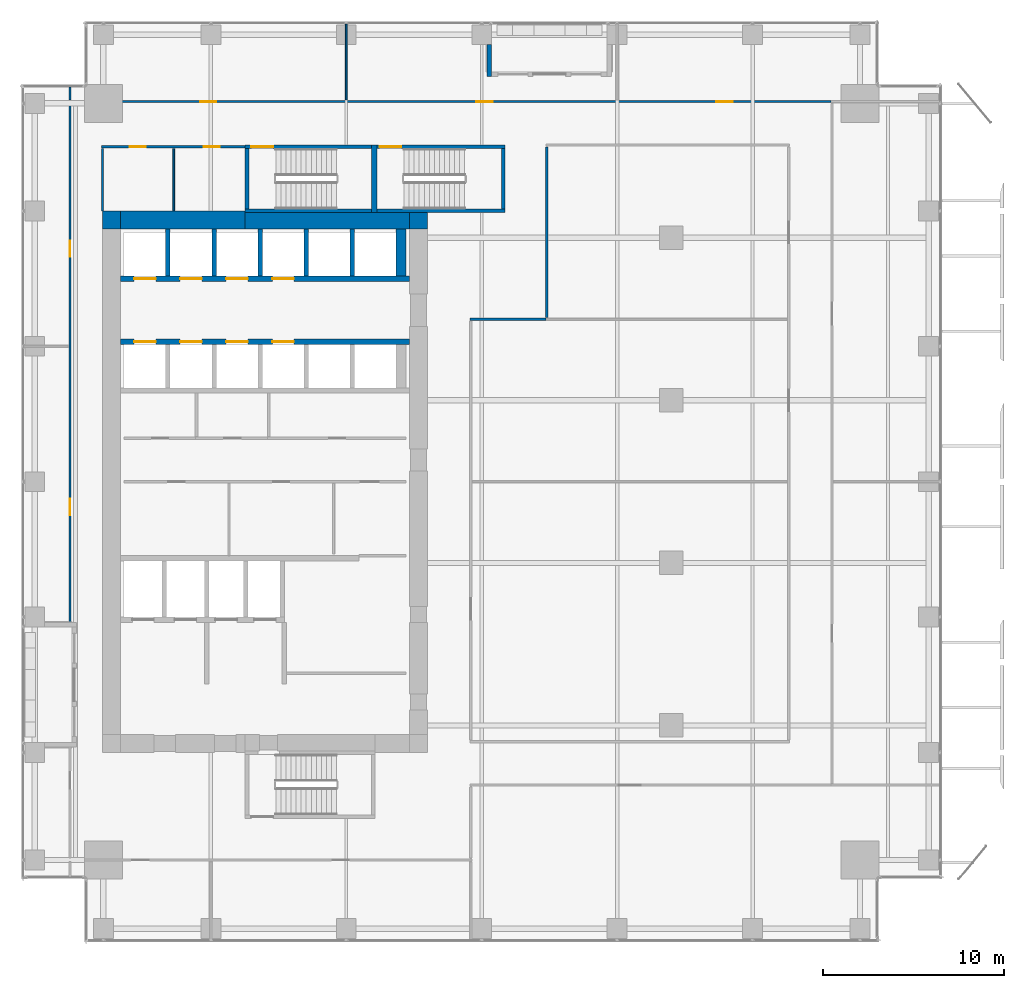
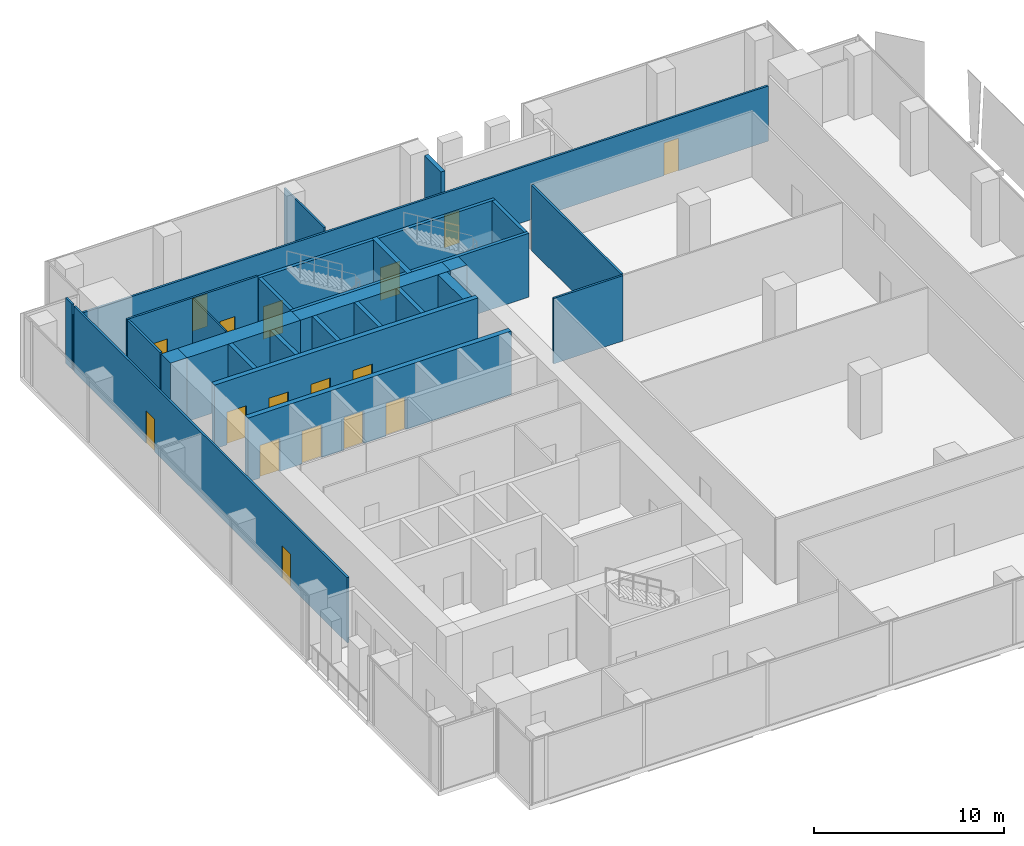
# One storey, part 29 of 33: 29 walls, 17 doors, 17 openings.
"""IFC4 building model written with IfcOpenShell, lengths in metres."""

from ifc_helpers import new_model, si_unit, direction, frame, frame_2d, origin, place, context, subcontext, project, spatial, rectangle, extrude, source, transform, mapped, material, layer, layer_set, type_object, element, fill, save


model = new_model("IFC4")

# Units and contexts
model_context = context("Model", 3, precision=1e-05, world=origin(), true_north=direction((0.0, 1.0)))
body_context = subcontext(model_context, "Body", "Model", "MODEL_VIEW")
ifc_project = project(units=[si_unit("LENGTHUNIT", "METRE"), si_unit("AREAUNIT", "SQUARE_METRE"), si_unit("VOLUMEUNIT", "CUBIC_METRE"), si_unit("PLANEANGLEUNIT", "RADIAN"), si_unit("MASSUNIT", "GRAM", prefix="KILO")], contexts=[model_context])

# Site, building, storey
site_placement = place(None, origin())
site = spatial("IfcSite", under=ifc_project, at=site_placement, CompositionType="ELEMENT")
building_placement = place(site_placement, origin())
building = spatial("IfcBuilding", under=site, at=building_placement, Name="Khomas Fold Tower", CompositionType="ELEMENT")
storey_placement = place(building_placement, frame((0.0, 0.0, 149.89990234375)))
storey = spatial("IfcBuildingStorey", under=building, at=storey_placement, Name="L32", CompositionType="ELEMENT", Elevation=149.89990234375)

# Walls
ifc_material_1 = material(Name="Concrete C70/85", Category="concrete")
ifc_layer_1 = layer(ifc_material_1, 1.0)
ifc_layer_set_1 = layer_set([ifc_layer_1], Name="Concrete C70/85")
wall_type_1 = type_object("IfcWallType", Name="Core wall 1000", PredefinedType="SHEAR", material=ifc_layer_set_1)
shared_shape_1 = source(origin(), body_context, "Body", "SweptSolid", [
    extrude(rectangle(XDim=6.89990234375, YDim=1.0, at=frame_2d((3.449951171875, 0.0))), origin(), (0.0, 0.0, 1.0), 4.10009765625),
])
wall_1_placement = place(storey_placement, frame((7.0, 41.5, 0.0), z_axis=(0.0, 0.0, 1.0), x_axis=(1.0, 0.0, 0.0)))
element("IfcWall", 1, at=wall_1_placement, inside=storey, type_object=wall_type_1, Name="Core wall CW-L-N-L21", PredefinedType="SHEAR", context=body_context, shape_type="MappedRepresentation", body=[
    mapped(shared_shape_1, transform((0.0, 0.0, 0.0))),
])
ifc_material_2 = material(Name="Concrete C70/85", Category="concrete")
ifc_layer_2 = layer(ifc_material_2, 0.89990234375)
ifc_layer_set_2 = layer_set([ifc_layer_2], Name="Concrete C70/85")
wall_type_2 = type_object("IfcWallType", Name="Core wall 900", PredefinedType="SHEAR", material=ifc_layer_set_2)
shared_shape_2 = source(origin(), body_context, "Body", "SweptSolid", [
    extrude(rectangle(XDim=9.10009765625, YDim=0.89990234375, at=frame_2d((4.550048828125, 0.0))), origin(), (0.0, 0.0, 1.0), 4.10009765625),
])
wall_2_placement = place(storey_placement, frame((13.89990234375, 41.449951171875, 0.0), z_axis=(0.0, 0.0, 1.0), x_axis=(1.0, 0.0, 0.0)))
element("IfcWall", 2, at=wall_2_placement, inside=storey, type_object=wall_type_2, Name="Core wall CW-L-N-L21-1", PredefinedType="SHEAR", context=body_context, shape_type="MappedRepresentation", body=[
    mapped(shared_shape_2, transform((0.0, 0.0, 0.0))),
])
ifc_material_3 = material(Name="Concrete C70/85", Category="concrete")
ifc_layer_3 = layer(ifc_material_3, 0.89990234375)
ifc_layer_set_3 = layer_set([ifc_layer_3], Name="Concrete C70/85")
wall_type_3 = type_object("IfcWallType", Name="Core corner wall 900", PredefinedType="SHEAR", material=ifc_layer_set_3)
shared_shape_3 = source(origin(), body_context, "Body", "SweptSolid", [
    extrude(rectangle(XDim=1.0, YDim=0.89990234375, at=frame_2d((0.5, 0.0))), origin(), (0.0, 0.0, 1.0), 4.10009765625),
])
wall_3_placement = place(storey_placement, frame((23.0, 41.449951171875, 0.0), z_axis=(0.0, 0.0, 1.0), x_axis=(1.0, 0.0, 0.0)))
element("IfcWall", 3, at=wall_3_placement, inside=storey, type_object=wall_type_3, Name="Core wall CW-L-NE-L21", PredefinedType="SHEAR", context=body_context, shape_type="MappedRepresentation", body=[
    mapped(shared_shape_3, transform((0.0, 0.0, 0.0))),
])
ifc_material_4 = material(Name="Concrete C70/85", Category="concrete")
ifc_layer_4 = layer(ifc_material_4, 1.0)
ifc_layer_set_4 = layer_set([ifc_layer_4], Name="Concrete C70/85")
wall_type_4 = type_object("IfcWallType", Name="Core corner wall 1000", PredefinedType="SHEAR", material=ifc_layer_set_4)
shared_shape_4 = source(origin(), body_context, "Body", "SweptSolid", [
    extrude(rectangle(XDim=1.0, YDim=1.0, at=frame_2d((0.5, 0.0))), origin(), (0.0, 0.0, 1.0), 4.10009765625),
])
wall_4_placement = place(storey_placement, frame((6.0, 41.5, 0.0), z_axis=(0.0, 0.0, 1.0), x_axis=(1.0, 0.0, 0.0)))
element("IfcWall", 4, at=wall_4_placement, inside=storey, type_object=wall_type_4, Name="Core wall CW-L-NW-L21", PredefinedType="SHEAR", context=body_context, shape_type="MappedRepresentation", body=[
    mapped(shared_shape_4, transform((0.0, 0.0, 0.0))),
])

# Wall, opening, door
ifc_material_5 = material(Name="Concrete C50/60", Category="concrete")
ifc_layer_5 = layer(ifc_material_5, 0.199951171875)
ifc_layer_set_5 = layer_set([ifc_layer_5], Name="Concrete C50/60")
wall_type_5 = type_object("IfcWallType", Name="Stair wall 200", PredefinedType="SHEAR", material=ifc_layer_set_5)
shared_shape_5 = source(origin(), body_context, "Body", "SweptSolid", [
    extrude(rectangle(XDim=7.0, YDim=0.199951171875, at=frame_2d((3.5, 0.0))), origin(), (0.0, 0.0, 1.0), 4.10009765625),
])
wall_5_placement = place(storey_placement, frame((13.89990234375, 45.550048828125, 0.0), z_axis=(0.0, 0.0, 1.0), x_axis=(1.0, 0.0, 0.0)))
wall_5 = element("IfcWall", 5, at=wall_5_placement, inside=storey, type_object=wall_type_5, Name="Stair wall SW-ST1-N", PredefinedType="SHEAR", context=body_context, shape_type="MappedRepresentation", body=[
    mapped(shared_shape_5, transform((0.0, 0.0, 0.0))),
])
shared_shape_6 = source(origin(), body_context, "Body", "SweptSolid", [
    extrude(rectangle(XDim=1.199951171875, YDim=2.10009765625, at=frame_2d((0.60009765625, 1.050048828125))), frame((0.0, 0.10986328125, 0.0), z_axis=(0.0, -1.0, 0.0), x_axis=(1.0, 0.0, 0.0)), (0.0, 0.0, 1.0), 0.219970703125),
])
opening_1_placement = place(wall_5_placement, frame((0.35009765625, 0.0, 0.0)))
opening_1 = element("IfcOpeningElement", 6, at=opening_1_placement, cuts=wall_5, Name="Opening SD-ST1", PredefinedType="OPENING", context=body_context, shape_type="MappedRepresentation", body=[
    mapped(shared_shape_6, transform((0.0, 0.0, 0.0))),
])
ifc_material_6 = material(Name="Steel door leaf", Category="steel")
door_type_1 = type_object("IfcDoorType", Name="Stair door 1200x2100 left-hand", OperationType="SINGLE_SWING_LEFT", PredefinedType="DOOR", material=ifc_material_6)
shared_shape_7 = source(origin(), body_context, "Body", "SweptSolid", [
    extrude(rectangle(XDim=1.199951171875, YDim=2.10009765625, at=frame_2d((0.60009765625, 1.050048828125))), frame((0.0, 0.02490234375, 0.0), z_axis=(0.0, -1.0, 0.0), x_axis=(1.0, 0.0, 0.0)), (0.0, 0.0, 1.0), 0.050048828125),
])
door_1_placement = place(opening_1_placement, origin())
door_1 = element("IfcDoor", 7, at=door_1_placement, inside=storey, type_object=door_type_1, Name="Stair door", OperationType="SINGLE_SWING_LEFT", OverallHeight=2.10009765625, OverallWidth=1.199951171875, PredefinedType="DOOR", context=body_context, shape_type="MappedRepresentation", body=[
    mapped(shared_shape_7, transform((0.0, 0.0, 0.0))),
])
fill(opening_1, door_1)

# Wall
wall_6_placement = place(storey_placement, frame((13.89990234375, 42.0, 0.0), z_axis=(0.0, 0.0, 1.0), x_axis=(1.0, 0.0, 0.0)))
element("IfcWall", 8, at=wall_6_placement, inside=storey, type_object=wall_type_5, Name="Stair wall SW-ST1-S", PredefinedType="SHEAR", context=body_context, shape_type="MappedRepresentation", body=[
    mapped(shared_shape_5, transform((0.0, 0.0, 0.0))),
])

# Wall, opening, door
shared_shape_8 = source(origin(), body_context, "Body", "SweptSolid", [
    extrude(rectangle(XDim=7.10009765625, YDim=0.199951171875, at=frame_2d((3.550048828125, 0.0))), origin(), (0.0, 0.0, 1.0), 4.10009765625),
])
wall_7_placement = place(storey_placement, frame((21.199951171875, 45.550048828125, 0.0), z_axis=(0.0, 0.0, 1.0), x_axis=(1.0, 0.0, 0.0)))
wall_7 = element("IfcWall", 9, at=wall_7_placement, inside=storey, type_object=wall_type_5, Name="Stair wall SW-ST3-N", PredefinedType="SHEAR", context=body_context, shape_type="MappedRepresentation", body=[
    mapped(shared_shape_8, transform((0.0, 0.0, 0.0))),
])
opening_2_placement = place(wall_7_placement, frame((0.14990234375, 0.0, 0.0)))
opening_2 = element("IfcOpeningElement", 10, at=opening_2_placement, cuts=wall_7, Name="Opening SD-ST3", PredefinedType="OPENING", context=body_context, shape_type="MappedRepresentation", body=[
    mapped(shared_shape_6, transform((0.0, 0.0, 0.0))),
])
door_2_placement = place(opening_2_placement, origin())
door_2 = element("IfcDoor", 11, at=door_2_placement, inside=storey, type_object=door_type_1, Name="Stair door", OperationType="SINGLE_SWING_LEFT", OverallHeight=2.10009765625, OverallWidth=1.199951171875, PredefinedType="DOOR", context=body_context, shape_type="MappedRepresentation", body=[
    mapped(shared_shape_7, transform((0.0, 0.0, 0.0))),
])
fill(opening_2, door_2)

# Walls
wall_8_placement = place(storey_placement, frame((21.199951171875, 42.0, 0.0), z_axis=(0.0, 0.0, 1.0), x_axis=(1.0, 0.0, 0.0)))
element("IfcWall", 12, at=wall_8_placement, inside=storey, type_object=wall_type_5, Name="Stair wall SW-ST3-S", PredefinedType="SHEAR", context=body_context, shape_type="MappedRepresentation", body=[
    mapped(shared_shape_8, transform((0.0, 0.0, 0.0))),
])
ifc_material_7 = material(Name="Concrete C50/60", Category="concrete")
ifc_layer_6 = layer(ifc_material_7, 0.300048828125)
ifc_layer_set_6 = layer_set([ifc_layer_6], Name="Concrete C50/60")
wall_type_6 = type_object("IfcWallType", Name="Stair wall 300", PredefinedType="SHEAR", material=ifc_layer_set_6)
shared_shape_9 = source(origin(), body_context, "Body", "SweptSolid", [
    extrude(rectangle(XDim=3.75, YDim=0.300048828125, at=frame_2d((1.875, 0.0))), origin(), (0.0, 0.0, 1.0), 4.10009765625),
])
wall_9_placement = place(storey_placement, frame((21.050048828125, 41.89990234375, 0.0), z_axis=(0.0, 0.0, 1.0), x_axis=(0.0, 1.0, 0.0)))
element("IfcWall", 13, at=wall_9_placement, inside=storey, type_object=wall_type_6, Name="Stair wall SW-ST1-E", PredefinedType="SHEAR", context=body_context, shape_type="MappedRepresentation", body=[
    mapped(shared_shape_9, transform((0.0, 0.0, 0.0))),
])
shared_shape_10 = source(origin(), body_context, "Body", "SweptSolid", [
    extrude(rectangle(XDim=3.349853515625, YDim=0.199951171875, at=frame_2d((1.6748046875, 0.0))), origin(), (0.0, 0.0, 1.0), 4.10009765625),
])
for number, where, z_axis, x_axis, name in (
    (14, (14.0, 42.10009765625, 0.0), (0.0, 0.0, 1.0), (0.0, 1.0, 0.0), "Stair wall SW-ST1-W"),
    (15, (28.199951171875, 42.10009765625, 0.0), (0.0, 0.0, 1.0), (0.0, 1.0, 0.0), "Stair wall SW-ST3-E"),
):
    element("IfcWall", number, at=place(storey_placement, frame(where, z_axis=z_axis, x_axis=x_axis)), inside=storey, type_object=wall_type_5, Name=name, PredefinedType="SHEAR", context=body_context, shape_type="MappedRepresentation", body=[
        mapped(shared_shape_10, transform((0.0, 0.0, 0.0))),
    ])

# Wall, openings, doors
ifc_material_8 = material(Name="Concrete C50/60", Category="concrete")
ifc_layer_7 = layer(ifc_material_8, 0.300048828125)
ifc_layer_set_7 = layer_set([ifc_layer_7], Name="Concrete C50/60")
wall_type_7 = type_object("IfcWallType", Name="Shaft wall 300", PredefinedType="STANDARD", material=ifc_layer_set_7)
shared_shape_11 = source(origin(), body_context, "Body", "SweptSolid", [
    extrude(rectangle(XDim=16.0, YDim=0.300048828125, at=frame_2d((8.0, 0.0))), origin(), (0.0, 0.0, 1.0), 4.10009765625),
])
wall_10_placement = place(storey_placement, frame((7.0, 38.25, 0.0), z_axis=(0.0, 0.0, 1.0), x_axis=(1.0, 0.0, 0.0)))
wall_10 = element("IfcWall", 16, at=wall_10_placement, inside=storey, type_object=wall_type_7, Name="Core wall SW-LRN-F", PredefinedType="STANDARD", context=body_context, shape_type="MappedRepresentation", body=[
    mapped(shared_shape_11, transform((0.0, 0.0, 0.0))),
])
shared_shape_12 = source(origin(), body_context, "Body", "SweptSolid", [
    extrude(rectangle(XDim=1.199951171875, YDim=2.10009765625, at=frame_2d((0.60009765625, 1.050048828125))), frame((0.0, 0.159912109375, 0.0), z_axis=(0.0, -1.0, 0.0), x_axis=(1.0, 0.0, 0.0)), (0.0, 0.0, 1.0), 0.320068359375),
])
opening_3_placement = place(wall_10_placement, frame((0.75, 0.0, 0.0)))
opening_3 = element("IfcOpeningElement", 17, at=opening_3_placement, cuts=wall_10, Name="Opening LD-LR5", PredefinedType="OPENING", context=body_context, shape_type="MappedRepresentation", body=[
    mapped(shared_shape_12, transform((0.0, 0.0, 0.0))),
])
opening_4_placement = place(wall_10_placement, frame((3.300048828125, 0.0, 0.0)))
opening_4 = element("IfcOpeningElement", 18, at=opening_4_placement, cuts=wall_10, Name="Opening LD-LR6", PredefinedType="OPENING", context=body_context, shape_type="MappedRepresentation", body=[
    mapped(shared_shape_12, transform((0.0, 0.0, 0.0))),
])
opening_5_placement = place(wall_10_placement, frame((5.85009765625, 0.0, 0.0)))
opening_5 = element("IfcOpeningElement", 19, at=opening_5_placement, cuts=wall_10, Name="Opening LD-LR7", PredefinedType="OPENING", context=body_context, shape_type="MappedRepresentation", body=[
    mapped(shared_shape_12, transform((0.0, 0.0, 0.0))),
])
opening_6_placement = place(wall_10_placement, frame((8.39990234375, 0.0, 0.0)))
opening_6 = element("IfcOpeningElement", 20, at=opening_6_placement, cuts=wall_10, Name="Opening LD-LR8", PredefinedType="OPENING", context=body_context, shape_type="MappedRepresentation", body=[
    mapped(shared_shape_12, transform((0.0, 0.0, 0.0))),
])
ifc_material_9 = material(Name="Steel door leaf", Category="steel")
door_type_2 = type_object("IfcDoorType", Name="Landing door 1200x2100", OperationType="DOUBLE_DOOR_SLIDING", PredefinedType="DOOR", material=ifc_material_9)
door_3_placement = place(opening_3_placement, origin())
door_3 = element("IfcDoor", 21, at=door_3_placement, inside=storey, type_object=door_type_2, Name="Lift landing door", OperationType="DOUBLE_DOOR_SLIDING", OverallHeight=2.10009765625, OverallWidth=1.199951171875, PredefinedType="DOOR", context=body_context, shape_type="MappedRepresentation", body=[
    mapped(shared_shape_7, transform((0.0, 0.0, 0.0))),
])
fill(opening_3, door_3)
door_4_placement = place(opening_4_placement, origin())
door_4 = element("IfcDoor", 22, at=door_4_placement, inside=storey, type_object=door_type_2, Name="Lift landing door", OperationType="DOUBLE_DOOR_SLIDING", OverallHeight=2.10009765625, OverallWidth=1.199951171875, PredefinedType="DOOR", context=body_context, shape_type="MappedRepresentation", body=[
    mapped(shared_shape_7, transform((0.0, 0.0, 0.0))),
])
fill(opening_4, door_4)
door_5_placement = place(opening_5_placement, origin())
door_5 = element("IfcDoor", 23, at=door_5_placement, inside=storey, type_object=door_type_2, Name="Lift landing door", OperationType="DOUBLE_DOOR_SLIDING", OverallHeight=2.10009765625, OverallWidth=1.199951171875, PredefinedType="DOOR", context=body_context, shape_type="MappedRepresentation", body=[
    mapped(shared_shape_7, transform((0.0, 0.0, 0.0))),
])
fill(opening_5, door_5)
door_6_placement = place(opening_6_placement, origin())
door_6 = element("IfcDoor", 24, at=door_6_placement, inside=storey, type_object=door_type_2, Name="Lift landing door", OperationType="DOUBLE_DOOR_SLIDING", OverallHeight=2.10009765625, OverallWidth=1.199951171875, PredefinedType="DOOR", context=body_context, shape_type="MappedRepresentation", body=[
    mapped(shared_shape_7, transform((0.0, 0.0, 0.0))),
])
fill(opening_6, door_6)

wall_11_placement = place(storey_placement, frame((7.0, 34.75, 0.0), z_axis=(0.0, 0.0, 1.0), x_axis=(1.0, 0.0, 0.0)))
wall_11 = element("IfcWall", 25, at=wall_11_placement, inside=storey, type_object=wall_type_7, Name="Core wall SW-LRS-F", PredefinedType="STANDARD", context=body_context, shape_type="MappedRepresentation", body=[
    mapped(shared_shape_11, transform((0.0, 0.0, 0.0))),
])
opening_7_placement = place(wall_11_placement, frame((0.75, 0.0, 0.0)))
opening_7 = element("IfcOpeningElement", 26, at=opening_7_placement, cuts=wall_11, Name="Opening LD-LR1", PredefinedType="OPENING", context=body_context, shape_type="MappedRepresentation", body=[
    mapped(shared_shape_12, transform((0.0, 0.0, 0.0))),
])
opening_8_placement = place(wall_11_placement, frame((3.300048828125, 0.0, 0.0)))
opening_8 = element("IfcOpeningElement", 27, at=opening_8_placement, cuts=wall_11, Name="Opening LD-LR2", PredefinedType="OPENING", context=body_context, shape_type="MappedRepresentation", body=[
    mapped(shared_shape_12, transform((0.0, 0.0, 0.0))),
])
opening_9_placement = place(wall_11_placement, frame((5.85009765625, 0.0, 0.0)))
opening_9 = element("IfcOpeningElement", 28, at=opening_9_placement, cuts=wall_11, Name="Opening LD-LR3", PredefinedType="OPENING", context=body_context, shape_type="MappedRepresentation", body=[
    mapped(shared_shape_12, transform((0.0, 0.0, 0.0))),
])
opening_10_placement = place(wall_11_placement, frame((8.39990234375, 0.0, 0.0)))
opening_10 = element("IfcOpeningElement", 29, at=opening_10_placement, cuts=wall_11, Name="Opening LD-LR4", PredefinedType="OPENING", context=body_context, shape_type="MappedRepresentation", body=[
    mapped(shared_shape_12, transform((0.0, 0.0, 0.0))),
])
door_7_placement = place(opening_7_placement, origin())
door_7 = element("IfcDoor", 30, at=door_7_placement, inside=storey, type_object=door_type_2, Name="Lift landing door", OperationType="DOUBLE_DOOR_SLIDING", OverallHeight=2.10009765625, OverallWidth=1.199951171875, PredefinedType="DOOR", context=body_context, shape_type="MappedRepresentation", body=[
    mapped(shared_shape_7, transform((0.0, 0.0, 0.0))),
])
fill(opening_7, door_7)
door_8_placement = place(opening_8_placement, origin())
door_8 = element("IfcDoor", 31, at=door_8_placement, inside=storey, type_object=door_type_2, Name="Lift landing door", OperationType="DOUBLE_DOOR_SLIDING", OverallHeight=2.10009765625, OverallWidth=1.199951171875, PredefinedType="DOOR", context=body_context, shape_type="MappedRepresentation", body=[
    mapped(shared_shape_7, transform((0.0, 0.0, 0.0))),
])
fill(opening_8, door_8)
door_9_placement = place(opening_9_placement, origin())
door_9 = element("IfcDoor", 32, at=door_9_placement, inside=storey, type_object=door_type_2, Name="Lift landing door", OperationType="DOUBLE_DOOR_SLIDING", OverallHeight=2.10009765625, OverallWidth=1.199951171875, PredefinedType="DOOR", context=body_context, shape_type="MappedRepresentation", body=[
    mapped(shared_shape_7, transform((0.0, 0.0, 0.0))),
])
fill(opening_9, door_9)
door_10_placement = place(opening_10_placement, origin())
door_10 = element("IfcDoor", 33, at=door_10_placement, inside=storey, type_object=door_type_2, Name="Lift landing door", OperationType="DOUBLE_DOOR_SLIDING", OverallHeight=2.10009765625, OverallWidth=1.199951171875, PredefinedType="DOOR", context=body_context, shape_type="MappedRepresentation", body=[
    mapped(shared_shape_7, transform((0.0, 0.0, 0.0))),
])
fill(opening_10, door_10)

# Walls
ifc_material_10 = material(Name="Concrete C50/60", Category="concrete")
ifc_layer_8 = layer(ifc_material_10, 0.25)
ifc_layer_set_8 = layer_set([ifc_layer_8], Name="Concrete C50/60")
wall_type_8 = type_object("IfcWallType", Name="Shaft wall 250", PredefinedType="STANDARD", material=ifc_layer_set_8)
shared_shape_13 = source(origin(), body_context, "Body", "SweptSolid", [
    extrude(rectangle(XDim=2.60009765625, YDim=0.25, at=frame_2d((1.300048828125, 0.0))), origin(), (0.0, 0.0, 1.0), 4.10009765625),
])
for number, where, z_axis, x_axis, name in (
    (34, (9.625, 38.39990234375, 0.0), (0.0, 0.0, 1.0), (0.0, 1.0, 0.0), "Core wall SW-LRN-P1"),
    (35, (12.175048828125, 38.39990234375, 0.0), (0.0, 0.0, 1.0), (0.0, 1.0, 0.0), "Core wall SW-LRN-P2"),
    (36, (14.72509765625, 38.39990234375, 0.0), (0.0, 0.0, 1.0), (0.0, 1.0, 0.0), "Core wall SW-LRN-P3"),
    (37, (17.27490234375, 38.39990234375, 0.0), (0.0, 0.0, 1.0), (0.0, 1.0, 0.0), "Core wall SW-LRN-P4"),
    (38, (19.824951171875, 38.39990234375, 0.0), (0.0, 0.0, 1.0), (0.0, 1.0, 0.0), "Core wall SW-LRN-P5"),
):
    element("IfcWall", number, at=place(storey_placement, frame(where, z_axis=z_axis, x_axis=x_axis)), inside=storey, type_object=wall_type_8, Name=name, PredefinedType="STANDARD", context=body_context, shape_type="MappedRepresentation", body=[
        mapped(shared_shape_13, transform((0.0, 0.0, 0.0))),
    ])
ifc_material_11 = material(Name="Concrete C50/60", Category="concrete")
ifc_layer_9 = layer(ifc_material_11, 0.550048828125)
ifc_layer_set_9 = layer_set([ifc_layer_9], Name="Concrete C50/60")
wall_type_9 = type_object("IfcWallType", Name="Shaft wall 550", PredefinedType="STANDARD", material=ifc_layer_set_9)
shared_shape_14 = source(origin(), body_context, "Body", "SweptSolid", [
    extrude(rectangle(XDim=2.60009765625, YDim=0.550048828125, at=frame_2d((1.300048828125, 0.0))), origin(), (0.0, 0.0, 1.0), 4.10009765625),
])
wall_12_placement = place(storey_placement, frame((22.52490234375, 38.39990234375, 0.0), z_axis=(0.0, 0.0, 1.0), x_axis=(0.0, 1.0, 0.0)))
element("IfcWall", 39, at=wall_12_placement, inside=storey, type_object=wall_type_9, Name="Core wall SW-LRN-PE", PredefinedType="STANDARD", context=body_context, shape_type="MappedRepresentation", body=[
    mapped(shared_shape_14, transform((0.0, 0.0, 0.0))),
])
ifc_material_12 = material(Name="Natural stone", Category="masonry")
ifc_layer_10 = layer(ifc_material_12, 0.0400390625)
ifc_material_13 = material(Name="Mineral wool insulation", Category="insulation")
ifc_layer_11 = layer(ifc_material_13, 0.10009765625)
ifc_material_14 = material(Name="Masonry", Category="masonry")
ifc_layer_12 = layer(ifc_material_14, 0.110107421875)
ifc_layer_set_10 = layer_set([ifc_layer_10, ifc_layer_11, ifc_layer_12], Name="Stone-faced insulated masonry")
wall_type_10 = type_object("IfcWallType", Name="BL-Balcony wall", PredefinedType="SOLIDWALL", material=ifc_layer_set_10)
shared_shape_15 = source(origin(), body_context, "Body", "SweptSolid", [
    extrude(rectangle(XDim=1.75, YDim=0.25, at=frame_2d((0.875, 0.0))), origin(), (0.0, 0.0, 1.0), 3.800048828125),
])
wall_13_placement = place(storey_placement, frame((27.425048828125, 51.199951171875, 0.0), z_axis=(0.0, 0.0, 1.0), x_axis=(0.0, -1.0, 0.0)))
element("IfcWall", 40, at=wall_13_placement, inside=storey, type_object=wall_type_10, Name="Balcony return wall BAL-L32-N3-lo", PredefinedType="SOLIDWALL", context=body_context, shape_type="MappedRepresentation", body=[
    mapped(shared_shape_15, transform((0.0, 0.0, 0.0))),
])

# Wall, openings, doors
ifc_material_15 = material(Name="Plasterboard partition")
ifc_layer_13 = layer(ifc_material_15, 0.125)
ifc_layer_set_11 = layer_set([ifc_layer_13], Name="Plasterboard partition")
wall_type_11 = type_object("IfcWallType", Name="Partition PW2 125", PredefinedType="PARTITIONING", material=ifc_layer_set_11)
shared_shape_16 = source(origin(), body_context, "Body", "SweptSolid", [
    extrude(rectangle(XDim=42.2001953125, YDim=0.125, at=frame_2d((21.10009765625, 0.0))), origin(), (0.0, 0.0, 1.0), 3.550048828125),
])
wall_14_placement = place(storey_placement, frame((4.14990234375, 48.050048828125, 0.0), z_axis=(0.0, 0.0, 1.0), x_axis=(1.0, 0.0, 0.0)))
wall_14 = element("IfcWall", 41, at=wall_14_placement, inside=storey, type_object=wall_type_11, Name="Partition", PredefinedType="PARTITIONING", context=body_context, shape_type="MappedRepresentation", body=[
    mapped(shared_shape_16, transform((0.0, 0.0, 0.0))),
])
shared_shape_17 = source(origin(), body_context, "Body", "SweptSolid", [
    extrude(rectangle(XDim=0.89990234375, YDim=2.10009765625, at=frame_2d((0.449951171875, 1.050048828125))), frame((0.0, 0.072509765625, 0.0), z_axis=(0.0, -1.0, 0.0), x_axis=(1.0, 0.0, 0.0)), (0.0, 0.0, 1.0), 0.14501953125),
])
opening_11_placement = place(wall_14_placement, frame((7.25, 0.0, 0.0)))
opening_11 = element("IfcOpeningElement", 42, at=opening_11_placement, cuts=wall_14, Name="Opening 0007", PredefinedType="OPENING", context=body_context, shape_type="MappedRepresentation", body=[
    mapped(shared_shape_17, transform((0.0, 0.0, 0.0))),
])
opening_12_placement = place(wall_14_placement, frame((22.550048828125, 0.0, 0.0)))
opening_12 = element("IfcOpeningElement", 43, at=opening_12_placement, cuts=wall_14, Name="Opening 0007", PredefinedType="OPENING", context=body_context, shape_type="MappedRepresentation", body=[
    mapped(shared_shape_17, transform((0.0, 0.0, 0.0))),
])
opening_13_placement = place(wall_14_placement, frame((35.85009765625, 0.0, 0.0)))
opening_13 = element("IfcOpeningElement", 44, at=opening_13_placement, cuts=wall_14, Name="Opening 0007", PredefinedType="OPENING", context=body_context, shape_type="MappedRepresentation", body=[
    mapped(shared_shape_17, transform((0.0, 0.0, 0.0))),
])
ifc_material_16 = material(Name="Timber door leaf", Category="wood")
door_type_3 = type_object("IfcDoorType", Name="Door 900x2100 left-hand", OperationType="SINGLE_SWING_LEFT", PredefinedType="DOOR", material=ifc_material_16)
shared_shape_18 = source(origin(), body_context, "Body", "SweptSolid", [
    extrude(rectangle(XDim=0.89990234375, YDim=2.10009765625, at=frame_2d((0.449951171875, 1.050048828125))), frame((0.0, 0.02490234375, 0.0), z_axis=(0.0, -1.0, 0.0), x_axis=(1.0, 0.0, 0.0)), (0.0, 0.0, 1.0), 0.050048828125),
])
door_11_placement = place(opening_11_placement, origin())
door_11 = element("IfcDoor", 45, at=door_11_placement, inside=storey, type_object=door_type_3, Name="Door", OperationType="SINGLE_SWING_LEFT", OverallHeight=2.10009765625, OverallWidth=0.89990234375, PredefinedType="DOOR", context=body_context, shape_type="MappedRepresentation", body=[
    mapped(shared_shape_18, transform((0.0, 0.0, 0.0))),
])
fill(opening_11, door_11)
door_12_placement = place(opening_12_placement, origin())
door_12 = element("IfcDoor", 46, at=door_12_placement, inside=storey, type_object=door_type_3, Name="Door", OperationType="SINGLE_SWING_LEFT", OverallHeight=2.10009765625, OverallWidth=0.89990234375, PredefinedType="DOOR", context=body_context, shape_type="MappedRepresentation", body=[
    mapped(shared_shape_18, transform((0.0, 0.0, 0.0))),
])
fill(opening_12, door_12)
door_13_placement = place(opening_13_placement, origin())
door_13 = element("IfcDoor", 47, at=door_13_placement, inside=storey, type_object=door_type_3, Name="Door", OperationType="SINGLE_SWING_LEFT", OverallHeight=2.10009765625, OverallWidth=0.89990234375, PredefinedType="DOOR", context=body_context, shape_type="MappedRepresentation", body=[
    mapped(shared_shape_18, transform((0.0, 0.0, 0.0))),
])
fill(opening_13, door_13)

# Walls
ifc_material_17 = material(Name="Plasterboard partition")
ifc_layer_14 = layer(ifc_material_17, 0.10009765625)
ifc_layer_set_12 = layer_set([ifc_layer_14], Name="Plasterboard partition")
wall_type_12 = type_object("IfcWallType", Name="Partition PW1 100", PredefinedType="PARTITIONING", material=ifc_layer_set_12)
shared_shape_19 = source(origin(), body_context, "Body", "SweptSolid", [
    extrude(rectangle(XDim=4.2001953125, YDim=0.10009765625, at=frame_2d((2.10009765625, 0.0))), origin(), (0.0, 0.0, 1.0), 3.77001953125),
])
wall_15_placement = place(storey_placement, frame((19.5, 48.14990234375, 0.0), z_axis=(0.0, 0.0, 1.0), x_axis=(0.0, 1.0, 0.0)))
element("IfcWall", 48, at=wall_15_placement, inside=storey, type_object=wall_type_12, Name="Partition", PredefinedType="PARTITIONING", context=body_context, shape_type="MappedRepresentation", body=[
    mapped(shared_shape_19, transform((0.0, 0.0, 0.0))),
])
shared_shape_20 = source(origin(), body_context, "Body", "SweptSolid", [
    extrude(rectangle(XDim=4.199951171875, YDim=0.125, at=frame_2d((2.10009765625, 0.0))), origin(), (0.0, 0.0, 1.0), 4.2001953125),
])
wall_16_placement = place(storey_placement, frame((26.35009765625, 36.0, 0.0), z_axis=(0.0, 0.0, 1.0), x_axis=(1.0, 0.0, 0.0)))
element("IfcWall", 49, at=wall_16_placement, inside=storey, type_object=wall_type_11, Name="Partition", PredefinedType="PARTITIONING", context=body_context, shape_type="MappedRepresentation", body=[
    mapped(shared_shape_20, transform((0.0, 0.0, 0.0))),
])
shared_shape_21 = source(origin(), body_context, "Body", "SweptSolid", [
    extrude(rectangle(XDim=9.449951171875, YDim=0.125, at=frame_2d((4.72509765625, 0.0))), origin(), (0.0, 0.0, 1.0), 4.2001953125),
])
wall_17_placement = place(storey_placement, frame((30.60009765625, 36.10009765625, 0.0), z_axis=(0.0, 0.0, 1.0), x_axis=(0.0, 1.0, 0.0)))
element("IfcWall", 50, at=wall_17_placement, inside=storey, type_object=wall_type_11, Name="Partition", PredefinedType="PARTITIONING", context=body_context, shape_type="MappedRepresentation", body=[
    mapped(shared_shape_21, transform((0.0, 0.0, 0.0))),
])
shared_shape_22 = source(origin(), body_context, "Body", "SweptSolid", [
    extrude(rectangle(XDim=3.449951171875, YDim=0.125, at=frame_2d((1.72509765625, 0.0))), origin(), (0.0, 0.0, 1.0), 4.2001953125),
])
wall_18_placement = place(storey_placement, frame((6.0, 42.0, 0.0), z_axis=(0.0, 0.0, 1.0), x_axis=(0.0, 1.0, 0.0)))
element("IfcWall", 51, at=wall_18_placement, inside=storey, type_object=wall_type_11, Name="Partition", PredefinedType="PARTITIONING", context=body_context, shape_type="MappedRepresentation", body=[
    mapped(shared_shape_22, transform((0.0, 0.0, 0.0))),
])
shared_shape_23 = source(origin(), body_context, "Body", "SweptSolid", [
    extrude(rectangle(XDim=3.449951171875, YDim=0.10009765625, at=frame_2d((1.72509765625, 0.0))), origin(), (0.0, 0.0, 1.0), 4.2001953125),
])
wall_19_placement = place(storey_placement, frame((9.949951171875, 42.0, 0.0), z_axis=(0.0, 0.0, 1.0), x_axis=(0.0, 1.0, 0.0)))
element("IfcWall", 52, at=wall_19_placement, inside=storey, type_object=wall_type_12, Name="Partition", PredefinedType="PARTITIONING", context=body_context, shape_type="MappedRepresentation", body=[
    mapped(shared_shape_23, transform((0.0, 0.0, 0.0))),
])

# Wall, openings, doors
shared_shape_24 = source(origin(), body_context, "Body", "SweptSolid", [
    extrude(rectangle(XDim=7.949951171875, YDim=0.125, at=frame_2d((3.97509765625, 0.0))), origin(), (0.0, 0.0, 1.0), 4.2001953125),
])
wall_20_placement = place(storey_placement, frame((5.949951171875, 45.550048828125, 0.0), z_axis=(0.0, 0.0, 1.0), x_axis=(1.0, 0.0, 0.0)))
wall_20 = element("IfcWall", 53, at=wall_20_placement, inside=storey, type_object=wall_type_11, Name="Partition", PredefinedType="PARTITIONING", context=body_context, shape_type="MappedRepresentation", body=[
    mapped(shared_shape_24, transform((0.0, 0.0, 0.0))),
])
opening_14_placement = place(wall_20_placement, frame((1.550048828125, 0.0, 0.0)))
opening_14 = element("IfcOpeningElement", 54, at=opening_14_placement, cuts=wall_20, Name="Opening 0007", PredefinedType="OPENING", context=body_context, shape_type="MappedRepresentation", body=[
    mapped(shared_shape_17, transform((0.0, 0.0, 0.0))),
])
opening_15_placement = place(wall_20_placement, frame((5.64990234375, 0.0, 0.0)))
opening_15 = element("IfcOpeningElement", 55, at=opening_15_placement, cuts=wall_20, Name="Opening 0008", PredefinedType="OPENING", context=body_context, shape_type="MappedRepresentation", body=[
    mapped(shared_shape_17, transform((0.0, 0.0, 0.0))),
])
door_14_placement = place(opening_14_placement, origin())
door_14 = element("IfcDoor", 56, at=door_14_placement, inside=storey, type_object=door_type_3, Name="Door", OperationType="SINGLE_SWING_LEFT", OverallHeight=2.10009765625, OverallWidth=0.89990234375, PredefinedType="DOOR", context=body_context, shape_type="MappedRepresentation", body=[
    mapped(shared_shape_18, transform((0.0, 0.0, 0.0))),
])
fill(opening_14, door_14)
ifc_material_18 = material(Name="Timber door leaf", Category="wood")
door_type_4 = type_object("IfcDoorType", Name="Door 900x2100 right-hand", OperationType="SINGLE_SWING_RIGHT", PredefinedType="DOOR", material=ifc_material_18)
door_15_placement = place(opening_15_placement, origin())
door_15 = element("IfcDoor", 57, at=door_15_placement, inside=storey, type_object=door_type_4, Name="Door", OperationType="SINGLE_SWING_RIGHT", OverallHeight=2.10009765625, OverallWidth=0.89990234375, PredefinedType="DOOR", context=body_context, shape_type="MappedRepresentation", body=[
    mapped(shared_shape_18, transform((0.0, 0.0, 0.0))),
])
fill(opening_15, door_15)

# Wall
shared_shape_25 = source(origin(), body_context, "Body", "SweptSolid", [
    extrude(rectangle(XDim=0.7001953125, YDim=0.10009765625, at=frame_2d((0.35009765625, 0.0))), origin(), (0.0, 0.0, 1.0), 4.2001953125),
])
wall_21_placement = place(storey_placement, frame((4.199951171875, 48.14990234375, 0.0), z_axis=(0.0, 0.0, 1.0), x_axis=(0.0, 1.0, 0.0)))
element("IfcWall", 58, at=wall_21_placement, inside=storey, type_object=wall_type_12, Name="Partition", PredefinedType="PARTITIONING", context=body_context, shape_type="MappedRepresentation", body=[
    mapped(shared_shape_25, transform((0.0, 0.0, 0.0))),
])

# Wall, openings, doors
shared_shape_26 = source(origin(), body_context, "Body", "SweptSolid", [
    extrude(rectangle(XDim=28.75, YDim=0.125, at=frame_2d((14.375, 0.0))), origin(), (0.0, 0.0, 1.0), 4.2001953125),
])
wall_22_placement = place(storey_placement, frame((4.199951171875, 19.199951171875, 0.0), z_axis=(0.0, 0.0, 1.0), x_axis=(0.0, 1.0, 0.0)))
wall_22 = element("IfcWall", 59, at=wall_22_placement, inside=storey, type_object=wall_type_11, Name="Partition", PredefinedType="PARTITIONING", context=body_context, shape_type="MappedRepresentation", body=[
    mapped(shared_shape_26, transform((0.0, 0.0, 0.0))),
])
opening_16_placement = place(wall_22_placement, frame((5.949951171875, 0.0, 0.0)))
opening_16 = element("IfcOpeningElement", 60, at=opening_16_placement, cuts=wall_22, Name="Opening 0008", PredefinedType="OPENING", context=body_context, shape_type="MappedRepresentation", body=[
    mapped(shared_shape_17, transform((0.0, 0.0, 0.0))),
])
opening_17_placement = place(wall_22_placement, frame((20.25, 0.0, 0.0)))
opening_17 = element("IfcOpeningElement", 61, at=opening_17_placement, cuts=wall_22, Name="Opening 0008", PredefinedType="OPENING", context=body_context, shape_type="MappedRepresentation", body=[
    mapped(shared_shape_17, transform((0.0, 0.0, 0.0))),
])
door_16_placement = place(opening_16_placement, origin())
door_16 = element("IfcDoor", 62, at=door_16_placement, inside=storey, type_object=door_type_4, Name="Door", OperationType="SINGLE_SWING_RIGHT", OverallHeight=2.10009765625, OverallWidth=0.89990234375, PredefinedType="DOOR", context=body_context, shape_type="MappedRepresentation", body=[
    mapped(shared_shape_18, transform((0.0, 0.0, 0.0))),
])
fill(opening_16, door_16)
door_17_placement = place(opening_17_placement, origin())
door_17 = element("IfcDoor", 63, at=door_17_placement, inside=storey, type_object=door_type_4, Name="Door", OperationType="SINGLE_SWING_RIGHT", OverallHeight=2.10009765625, OverallWidth=0.89990234375, PredefinedType="DOOR", context=body_context, shape_type="MappedRepresentation", body=[
    mapped(shared_shape_18, transform((0.0, 0.0, 0.0))),
])
fill(opening_17, door_17)

save(model, "model.ifc")
